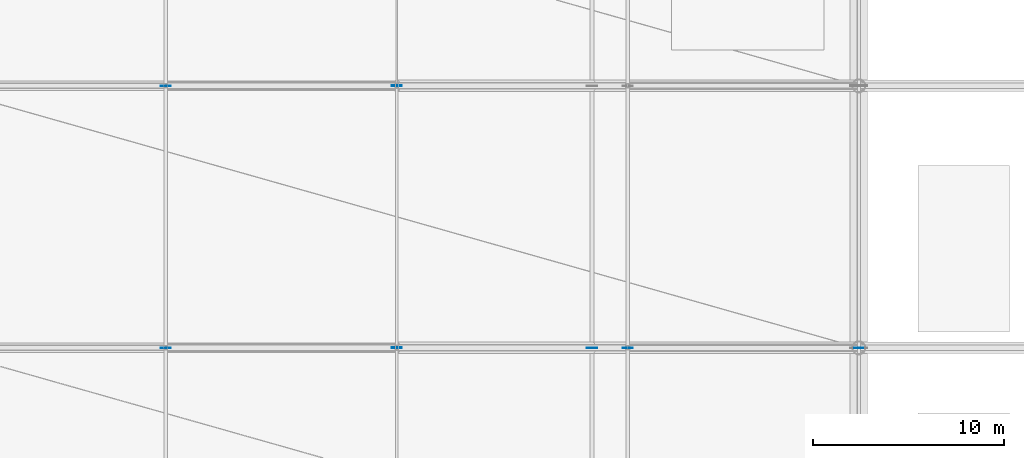
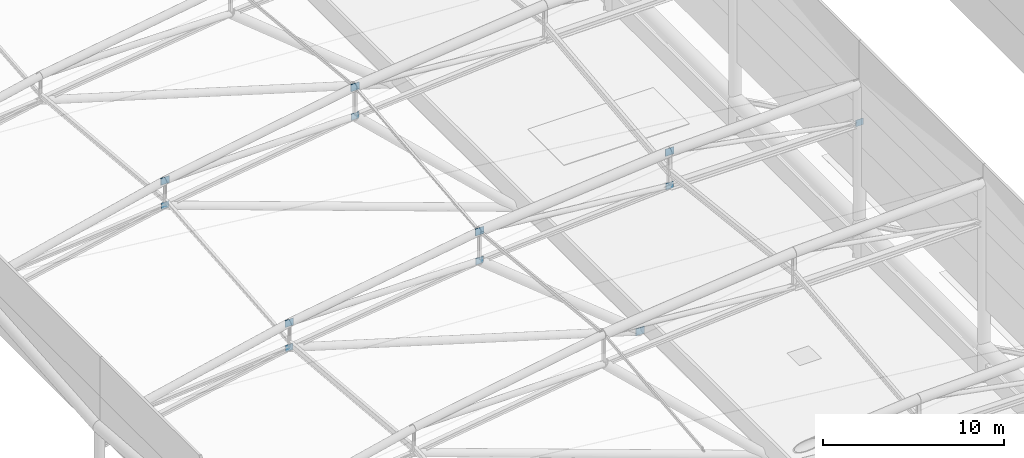
# One storey, part 88 of 113: 12 plates.
"""IFC4 building model written with IfcOpenShell, lengths in metres."""

from ifc_helpers import new_model, si_unit, direction, frame, origin, origin_2d, place, context, subcontext, project, spatial, rectangle, extrude, material, layer, layer_set, type_object, element, save


model = new_model("IFC4")

# Units and contexts
model_context = context("Model", 3, precision=1e-05, world=origin(), true_north=direction((0.0, 1.0)))
body_context = subcontext(model_context, "Body", "Model", "MODEL_VIEW")
ifc_project = project(units=[si_unit("LENGTHUNIT", "METRE"), si_unit("AREAUNIT", "SQUARE_METRE"), si_unit("VOLUMEUNIT", "CUBIC_METRE"), si_unit("PLANEANGLEUNIT", "RADIAN"), si_unit("MASSUNIT", "GRAM", prefix="KILO")], contexts=[model_context])

# Site, building, storey
site_placement = place(None, origin())
site = spatial("IfcSite", under=ifc_project, at=site_placement, CompositionType="ELEMENT")
building_placement = place(site_placement, origin())
building = spatial("IfcBuilding", under=site, at=building_placement, Name="Linyun Crest Stadium", CompositionType="ELEMENT")
storey_placement = place(building_placement, frame((0.0, 0.0, 26.39990234375)))
storey = spatial("IfcBuildingStorey", under=building, at=storey_placement, Name="L06", CompositionType="ELEMENT", Elevation=26.39990234375)

# Plates
ifc_material_1 = material(Name="Steel Q355C", Category="steel")
ifc_layer_1 = layer(ifc_material_1, 0.02392578125)
ifc_layer_set_1 = layer_set([ifc_layer_1], Name="Steel Q355C")
plate_type_1 = type_object("IfcPlateType", Name="NP01", PredefinedType="USERDEFINED", material=ifc_layer_set_1)
plate_1_placement = place(storey_placement, frame((47.625, -11.625, 7.93408203125), z_axis=(0.0, 0.0, 1.0), x_axis=(1.0, 0.0, 0.0)))
element("IfcPlate", 1, at=plate_1_placement, inside=storey, type_object=plate_type_1, Name="Roof truss node gusset plate NP01 148", ObjectType="GUSSET PLATE", PredefinedType="USERDEFINED", context=body_context, shape_type="SweptSolid", body=[
    extrude(rectangle(XDim=0.5400390625, YDim=0.02392578125, at=origin_2d()), origin(), (0.0, 0.0, 1.0), 0.47998046875),
])
for number, where, z_axis, x_axis, name in (
    (2, (84.0, -11.625, 8.730224609375), (0.0, 0.0, 1.0), (1.0, 0.0, 0.0), "Roof bottom-chord node gusset plate NP01 151"),
    (3, (71.875, -11.625, 8.717041015625), (0.0, 0.0, 1.0), (1.0, 0.0, 0.0), "Roof bottom-chord node gusset plate NP01 152"),
    (4, (59.75, -11.625, 7.903076171875), (0.0, 0.0, 1.0), (1.0, 0.0, 0.0), "Roof bottom-chord node gusset plate NP01 153"),
    (5, (47.625, -11.625, 6.2900390625), (0.0, 0.0, 1.0), (1.0, 0.0, 0.0), "Roof bottom-chord node gusset plate NP01 154"),
):
    element("IfcPlate", number, at=place(storey_placement, frame(where, z_axis=z_axis, x_axis=x_axis)), inside=storey, type_object=plate_type_1, Name=name, ObjectType="GUSSET PLATE", PredefinedType="USERDEFINED", context=body_context, shape_type="SweptSolid", body=[
        extrude(rectangle(XDim=0.47998046875, YDim=0.02392578125, at=origin_2d()), origin(), (0.0, 0.0, 1.0), 0.43994140625),
    ])
plate_2_placement = place(storey_placement, frame((47.625, 2.125, 9.18701171875), z_axis=(0.0, 0.0, 1.0), x_axis=(1.0, 0.0, 0.0)))
element("IfcPlate", 6, at=plate_2_placement, inside=storey, type_object=plate_type_1, Name="Roof truss node gusset plate NP01 161", ObjectType="GUSSET PLATE", PredefinedType="USERDEFINED", context=body_context, shape_type="SweptSolid", body=[
    extrude(rectangle(XDim=0.5400390625, YDim=0.02392578125, at=origin_2d()), origin(), (0.0, 0.0, 1.0), 0.47998046875),
])
for number, where, z_axis, x_axis, name in (
    (7, (59.75, 2.125, 9.30615234375), (0.0, 0.0, 1.0), (1.0, 0.0, 0.0), "Roof bottom-chord node gusset plate NP01 166"),
    (8, (47.625, 2.125, 7.543212890625), (0.0, 0.0, 1.0), (1.0, 0.0, 0.0), "Roof bottom-chord node gusset plate NP01 167"),
):
    element("IfcPlate", number, at=place(storey_placement, frame(where, z_axis=z_axis, x_axis=x_axis)), inside=storey, type_object=plate_type_1, Name=name, ObjectType="GUSSET PLATE", PredefinedType="USERDEFINED", context=body_context, shape_type="SweptSolid", body=[
        extrude(rectangle(XDim=0.47998046875, YDim=0.02392578125, at=origin_2d()), origin(), (0.0, 0.0, 1.0), 0.43994140625),
    ])
ifc_material_2 = material(Name="Steel Q420C", Category="steel")
ifc_layer_2 = layer(ifc_material_2, 0.028076171875)
ifc_layer_set_2 = layer_set([ifc_layer_2], Name="Steel Q420C")
plate_type_2 = type_object("IfcPlateType", Name="NP02", PredefinedType="USERDEFINED", material=ifc_layer_set_2)
for number, where, z_axis, x_axis, name in (
    (9, (71.875, -11.625, 10.985107421875), (0.0, 0.0, 1.0), (1.0, 0.0, 0.0), "Roof truss node gusset plate NP02 146"),
    (10, (70.0, -11.625, -0.454833984375), (0.0, 0.0, 1.0), (1.0, 0.0, 0.0), "Roof V-strut base gusset plate NP02 156"),
):
    element("IfcPlate", number, at=place(storey_placement, frame(where, z_axis=z_axis, x_axis=x_axis)), inside=storey, type_object=plate_type_2, Name=name, ObjectType="GUSSET PLATE", PredefinedType="USERDEFINED", context=body_context, shape_type="SweptSolid", body=[
        extrude(rectangle(XDim=0.5400390625, YDim=0.028076171875, at=origin_2d()), origin(), (0.0, 0.0, 1.0), 0.47998046875),
    ])
ifc_material_3 = material(Name="Steel Q420C", Category="steel")
ifc_layer_3 = layer(ifc_material_3, 0.035888671875)
ifc_layer_set_3 = layer_set([ifc_layer_3], Name="Steel Q420C")
plate_type_3 = type_object("IfcPlateType", Name="NP04", PredefinedType="USERDEFINED", material=ifc_layer_set_3)
for number, where, z_axis, x_axis, name in (
    (11, (59.75, -11.625, 9.859130859375), (0.0, 0.0, 1.0), (1.0, 0.0, 0.0), "Roof truss node gusset plate NP04 147"),
    (12, (59.75, 2.125, 11.26220703125), (0.0, 0.0, 1.0), (1.0, 0.0, 0.0), "Roof truss node gusset plate NP04 160"),
):
    element("IfcPlate", number, at=place(storey_placement, frame(where, z_axis=z_axis, x_axis=x_axis)), inside=storey, type_object=plate_type_3, Name=name, ObjectType="GUSSET PLATE", PredefinedType="USERDEFINED", context=body_context, shape_type="SweptSolid", body=[
        extrude(rectangle(XDim=0.5400390625, YDim=0.035888671875, at=origin_2d()), origin(), (0.0, 0.0, 1.0), 0.47998046875),
    ])

save(model, "model.ifc")
